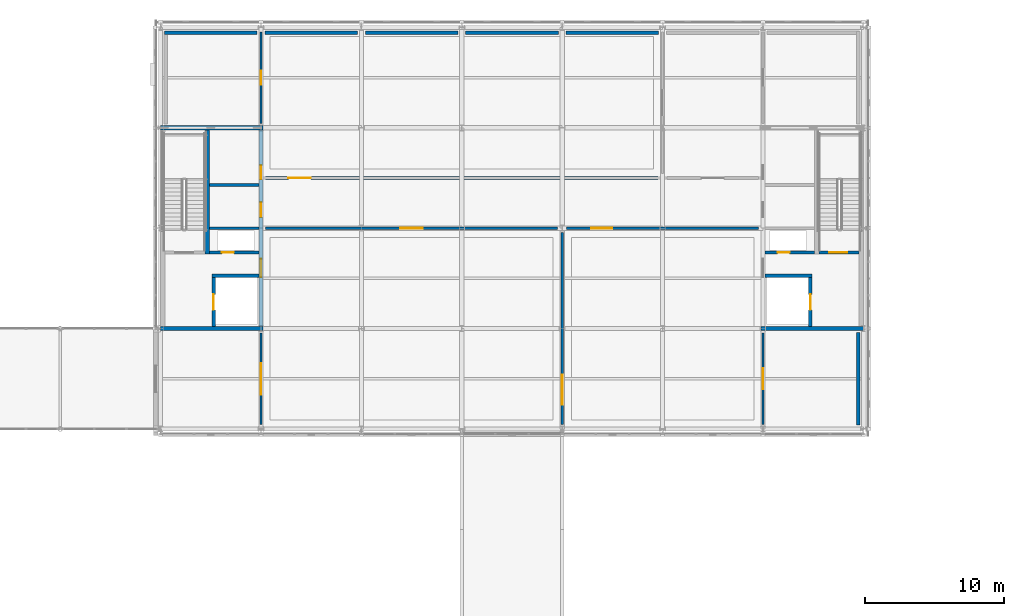
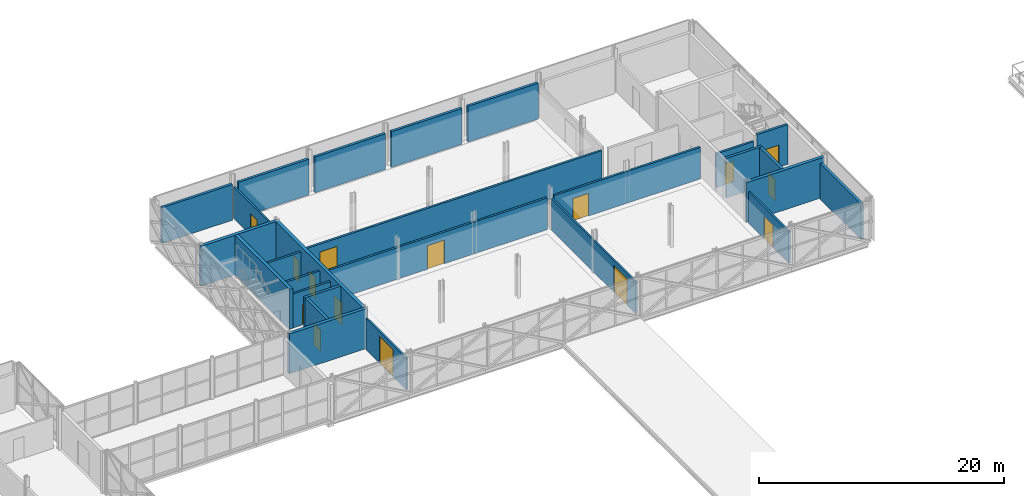
# One storey, part 106 of 126: 27 walls, 15 doors, 15 openings.
"""IFC4 building model written with IfcOpenShell, lengths in metres."""

from ifc_helpers import new_model, si_unit, direction, frame, frame_2d, origin, place, context, subcontext, project, spatial, rectangle, extrude, material, layer, layer_set, type_object, element, fill, save


model = new_model("IFC4")

# Units and contexts
model_context = context("Model", 3, precision=1e-05, world=origin(), true_north=direction((0.0, 1.0)))
body_context = subcontext(model_context, "Body", "Model", "MODEL_VIEW")
ifc_project = project(units=[si_unit("LENGTHUNIT", "METRE"), si_unit("AREAUNIT", "SQUARE_METRE"), si_unit("VOLUMEUNIT", "CUBIC_METRE"), si_unit("PLANEANGLEUNIT", "RADIAN"), si_unit("MASSUNIT", "GRAM", prefix="KILO")], contexts=[model_context])

# Site, building, storey
site_placement = place(None, origin())
site = spatial("IfcSite", under=ifc_project, at=site_placement, CompositionType="ELEMENT")
building_placement = place(site_placement, origin())
building = spatial("IfcBuilding", under=site, at=building_placement, Name="Zlatovets Crest Museum", CompositionType="ELEMENT")
storey_placement = place(building_placement, frame((0.0, 0.0, 8.699951171875)))
storey = spatial("IfcBuildingStorey", under=building, at=storey_placement, Name="L02", CompositionType="ELEMENT", Elevation=8.699951171875)

# Walls
ifc_material_1 = material(Name="Concrete C35/45", Category="concrete")
ifc_layer_1 = layer(ifc_material_1, 0.300048828125)
ifc_layer_set_1 = layer_set([ifc_layer_1], Name="Concrete C35/45")
wall_type_1 = type_object("IfcWallType", Name="CoreWall_SW01", PredefinedType="SHEAR", material=ifc_layer_set_1)
for number, where, z_axis, x_axis, name in (
    (1, (57.60009765625, 93.60009765625, 0.0), (0.0, 0.0, 1.0), (1.0, 0.0, 0.0), "Core C1 L02 South Shear Wall"),
    (2, (57.60009765625, 108.0, 0.0), (0.0, 0.0, 1.0), (1.0, 0.0, 0.0), "Core C1 L02 North Shear Wall"),
):
    element("IfcWall", number, at=place(storey_placement, frame(where, z_axis=z_axis, x_axis=x_axis)), inside=storey, type_object=wall_type_1, Name=name, PredefinedType="SHEAR", context=body_context, shape_type="SweptSolid", body=[
        extrude(rectangle(XDim=7.349853515625, YDim=0.300048828125, at=frame_2d((3.6748046875, 0.0))), origin(), (0.0, 0.0, 1.0), 3.9599609375),
    ])

# Wall, openings, doors
wall_1_placement = place(storey_placement, frame((64.800048828125, 93.75, 0.0), z_axis=(0.0, 0.0, 1.0), x_axis=(0.0, 1.0, 0.0)))
wall_1 = element("IfcWall", 3, at=wall_1_placement, inside=storey, type_object=wall_type_1, Name="Core C1 L02 Spine Shear Wall", PredefinedType="SHEAR", context=body_context, shape_type="SweptSolid", body=[
    extrude(rectangle(XDim=14.10009765625, YDim=0.300048828125, at=frame_2d((7.050048828125, 0.0))), origin(), (0.0, 0.0, 1.0), 3.9599609375),
])
opening_1_placement = place(wall_1_placement, frame((3.550048828125, 0.0, 0.0)))
opening_1 = element("IfcOpeningElement", 4, at=opening_1_placement, cuts=wall_1, Name="Opening FD-01", PredefinedType="OPENING", context=body_context, shape_type="SweptSolid", body=[
    extrude(rectangle(XDim=1.300048828125, YDim=2.199951171875, at=frame_2d((0.64990234375, 1.10009765625))), frame((0.0, 0.16015625, 0.0), z_axis=(0.0, -1.0, 0.0), x_axis=(1.0, 0.0, 0.0)), (0.0, 0.0, 1.0), 0.320068359375),
])
opening_2_placement = place(wall_1_placement, frame((7.85009765625, 0.0, 0.0)))
opening_2 = element("IfcOpeningElement", 5, at=opening_2_placement, cuts=wall_1, Name="Opening ID-02", PredefinedType="OPENING", context=body_context, shape_type="SweptSolid", body=[
    extrude(rectangle(XDim=1.050048828125, YDim=2.14990234375, at=frame_2d((0.52490234375, 1.074951171875))), frame((0.0, 0.16015625, 0.0), z_axis=(0.0, -1.0, 0.0), x_axis=(1.0, 0.0, 0.0)), (0.0, 0.0, 1.0), 0.320068359375),
])
opening_3_placement = place(wall_1_placement, frame((10.550048828125, 0.0, 0.0)))
opening_3 = element("IfcOpeningElement", 6, at=opening_3_placement, cuts=wall_1, Name="Opening ID-01", PredefinedType="OPENING", context=body_context, shape_type="SweptSolid", body=[
    extrude(rectangle(XDim=1.0, YDim=2.14990234375, at=frame_2d((0.5, 1.074951171875))), frame((0.0, 0.16015625, 0.0), z_axis=(0.0, -1.0, 0.0), x_axis=(1.0, 0.0, 0.0)), (0.0, 0.0, 1.0), 0.320068359375),
])
ifc_material_2 = material(Name="Smoke-sealed steel fire door", Category="steel")
door_type_1 = type_object("IfcDoorType", Name="IntDoor_FD-01", OperationType="NOTDEFINED", PredefinedType="DOOR", material=ifc_material_2)
door_1_placement = place(opening_1_placement, origin())
door_1 = element("IfcDoor", 7, at=door_1_placement, inside=storey, type_object=door_type_1, Name="CDOOR-C1-L02-LOB Core C1 L02 Lobby Fire Door", OperationType="SINGLE_SWING_RIGHT", OverallHeight=2.199951171875, OverallWidth=1.300048828125, PredefinedType="DOOR", context=body_context, shape_type="SweptSolid", body=[
    extrude(rectangle(XDim=1.300048828125, YDim=2.199951171875, at=frame_2d((0.64990234375, 1.10009765625))), frame((0.0, 0.02490234375, 0.0), z_axis=(0.0, -1.0, 0.0), x_axis=(1.0, 0.0, 0.0)), (0.0, 0.0, 1.0), 0.050048828125),
])
fill(opening_1, door_1)
ifc_material_3 = material(Name="Solid oak museum room door")
door_type_2 = type_object("IfcDoorType", Name="IntDoor_ID-01", OperationType="NOTDEFINED", PredefinedType="DOOR", material=ifc_material_3)
door_2_placement = place(opening_3_placement, origin())
door_2 = element("IfcDoor", 8, at=door_2_placement, inside=storey, type_object=door_type_2, Name="CDOOR-C1-L02-WC Core C1 L02 Public Restroom Door", OperationType="SINGLE_SWING_RIGHT", OverallHeight=2.14990234375, OverallWidth=1.0, PredefinedType="DOOR", context=body_context, shape_type="SweptSolid", body=[
    extrude(rectangle(XDim=1.0, YDim=2.14990234375, at=frame_2d((0.5, 1.074951171875))), frame((0.0, 0.02490234375, 0.0), z_axis=(0.0, -1.0, 0.0), x_axis=(1.0, 0.0, 0.0)), (0.0, 0.0, 1.0), 0.050048828125),
])
fill(opening_3, door_2)
ifc_material_4 = material(Name="Accessible sanitary room door")
door_type_3 = type_object("IfcDoorType", Name="IntDoor_ID-02", OperationType="NOTDEFINED", PredefinedType="DOOR", material=ifc_material_4)
door_3_placement = place(opening_2_placement, origin())
door_3 = element("IfcDoor", 9, at=door_3_placement, inside=storey, type_object=door_type_3, Name="CDOOR-C1-L02-AWC Core C1 L02 Accessible WC Door", OperationType="SINGLE_SWING_LEFT", OverallHeight=2.14990234375, OverallWidth=1.050048828125, PredefinedType="DOOR", context=body_context, shape_type="SweptSolid", body=[
    extrude(rectangle(XDim=1.050048828125, YDim=2.14990234375, at=frame_2d((0.52490234375, 1.074951171875))), frame((0.0, 0.02490234375, 0.0), z_axis=(0.0, -1.0, 0.0), x_axis=(1.0, 0.0, 0.0)), (0.0, 0.0, 1.0), 0.050048828125),
])
fill(opening_2, door_3)

# Walls
wall_2_placement = place(storey_placement, frame((60.949951171875, 98.93994140625, 0.0), z_axis=(0.0, 0.0, 1.0), x_axis=(0.0, 1.0, 0.0)))
element("IfcWall", 10, at=wall_2_placement, inside=storey, type_object=wall_type_1, Name="Core C1 L02 Stair Divider Wall", PredefinedType="SHEAR", context=body_context, shape_type="SweptSolid", body=[
    extrude(rectangle(XDim=8.91015625, YDim=0.300048828125, at=frame_2d((4.455078125, 0.0))), origin(), (0.0, 0.0, 1.0), 3.9599609375),
])
wall_3_placement = place(storey_placement, frame((100.64990234375, 93.60009765625, 0.0), z_axis=(0.0, 0.0, 1.0), x_axis=(1.0, 0.0, 0.0)))
element("IfcWall", 11, at=wall_3_placement, inside=storey, type_object=wall_type_1, Name="Core C6 L02 South Shear Wall", PredefinedType="SHEAR", context=body_context, shape_type="SweptSolid", body=[
    extrude(rectangle(XDim=7.35009765625, YDim=0.300048828125, at=frame_2d((3.675048828125, 0.0))), origin(), (0.0, 0.0, 1.0), 3.9599609375),
])

# Wall, opening, door
ifc_layer_2 = layer(ifc_material_1, 0.25)
ifc_layer_set_2 = layer_set([ifc_layer_2], Name="Concrete C35/45")
wall_type_2 = type_object("IfcWallType", Name="CoreWall_SW02", PredefinedType="SHEAR", material=ifc_layer_set_2)
wall_4_placement = place(storey_placement, frame((61.39990234375, 93.75, 0.0), z_axis=(0.0, 0.0, 1.0), x_axis=(0.0, 1.0, 0.0)))
wall_4 = element("IfcWall", 12, at=wall_4_placement, inside=storey, type_object=wall_type_2, Name="Core C1 L02 Lift Shaft Wall", PredefinedType="SHEAR", context=body_context, shape_type="SweptSolid", body=[
    extrude(rectangle(XDim=3.52490234375, YDim=0.25, at=frame_2d((1.762451171875, 0.0))), origin(), (0.0, 0.0, 1.0), 3.9599609375),
])
opening_4_placement = place(wall_4_placement, frame((1.199951171875, 0.0, 0.0)))
opening_4 = element("IfcOpeningElement", 13, at=opening_4_placement, cuts=wall_4, Name="Opening LD-01", PredefinedType="OPENING", context=body_context, shape_type="SweptSolid", body=[
    extrude(rectangle(XDim=1.10009765625, YDim=2.14990234375, at=frame_2d((0.550048828125, 1.074951171875))), frame((0.0, 0.135009765625, 0.0), z_axis=(0.0, -1.0, 0.0), x_axis=(1.0, 0.0, 0.0)), (0.0, 0.0, 1.0), 0.27001953125),
])
ifc_material_5 = material(Name="Stainless-bronze sliding lift landing door")
door_type_4 = type_object("IfcDoorType", Name="IntDoor_LD-01", OperationType="SLIDING_TO_LEFT", PredefinedType="DOOR", material=ifc_material_5)
door_4_placement = place(opening_4_placement, origin())
door_4 = element("IfcDoor", 14, at=door_4_placement, inside=storey, type_object=door_type_4, Name="LDOOR-FL1-L02 Lift FL1 L02 Sliding Landing Door", OperationType="SLIDING_TO_LEFT", OverallHeight=2.14990234375, OverallWidth=1.10009765625, PredefinedType="DOOR", context=body_context, shape_type="SweptSolid", body=[
    extrude(rectangle(XDim=1.10009765625, YDim=2.14990234375, at=frame_2d((0.550048828125, 1.074951171875))), frame((0.0, 0.02490234375, 0.0), z_axis=(0.0, -1.0, 0.0), x_axis=(1.0, 0.0, 0.0)), (0.0, 0.0, 1.0), 0.050048828125),
])
fill(opening_4, door_4)

# Wall
wall_5_placement = place(storey_placement, frame((61.27490234375, 97.39990234375, 0.0), z_axis=(0.0, 0.0, 1.0), x_axis=(1.0, 0.0, 0.0)))
element("IfcWall", 15, at=wall_5_placement, inside=storey, type_object=wall_type_2, Name="Core C1 L02 Lift Shaft North Shear Wall", PredefinedType="SHEAR", context=body_context, shape_type="SweptSolid", body=[
    extrude(rectangle(XDim=3.375, YDim=0.25, at=frame_2d((1.6875, 0.0))), origin(), (0.0, 0.0, 1.0), 3.9599609375),
])

# Wall, opening, door
wall_6_placement = place(storey_placement, frame((104.199951171875, 93.75, 0.0), z_axis=(0.0, 0.0, 1.0), x_axis=(0.0, 1.0, 0.0)))
wall_6 = element("IfcWall", 16, at=wall_6_placement, inside=storey, type_object=wall_type_2, Name="Core C6 L02 Lift Shaft Wall", PredefinedType="SHEAR", context=body_context, shape_type="SweptSolid", body=[
    extrude(rectangle(XDim=3.52490234375, YDim=0.25, at=frame_2d((1.762451171875, 0.0))), origin(), (0.0, 0.0, 1.0), 3.9599609375),
])
opening_5_placement = place(wall_6_placement, frame((1.199951171875, 0.0, 0.0)))
opening_5 = element("IfcOpeningElement", 17, at=opening_5_placement, cuts=wall_6, Name="Opening LD-01", PredefinedType="OPENING", context=body_context, shape_type="SweptSolid", body=[
    extrude(rectangle(XDim=1.10009765625, YDim=2.14990234375, at=frame_2d((0.550048828125, 1.074951171875))), frame((0.0, 0.135009765625, 0.0), z_axis=(0.0, -1.0, 0.0), x_axis=(1.0, 0.0, 0.0)), (0.0, 0.0, 1.0), 0.27001953125),
])
door_5_placement = place(opening_5_placement, origin())
door_5 = element("IfcDoor", 18, at=door_5_placement, inside=storey, type_object=door_type_4, Name="LDOOR-FL2-L02 Lift FL2 L02 Sliding Landing Door", OperationType="SLIDING_TO_LEFT", OverallHeight=2.14990234375, OverallWidth=1.10009765625, PredefinedType="DOOR", context=body_context, shape_type="SweptSolid", body=[
    extrude(rectangle(XDim=1.10009765625, YDim=2.14990234375, at=frame_2d((0.550048828125, 1.074951171875))), frame((0.0, 0.02490234375, 0.0), z_axis=(0.0, -1.0, 0.0), x_axis=(1.0, 0.0, 0.0)), (0.0, 0.0, 1.0), 0.050048828125),
])
fill(opening_5, door_5)

wall_7_placement = place(storey_placement, frame((104.800048828125, 99.050048828125, 0.0), z_axis=(0.0, 0.0, 1.0), x_axis=(1.0, 0.0, 0.0)))
wall_7 = element("IfcWall", 19, at=wall_7_placement, inside=storey, type_object=wall_type_2, Name="Core C6 L02 Stairwell Fire Wall", PredefinedType="SHEAR", context=body_context, shape_type="SweptSolid", body=[
    extrude(rectangle(XDim=2.89990234375, YDim=0.219970703125, at=frame_2d((1.449951171875, 0.0))), origin(), (0.0, 0.0, 1.0), 3.9599609375),
])
opening_6_placement = place(wall_7_placement, frame((0.75, 0.0, 0.0)))
opening_6 = element("IfcOpeningElement", 20, at=opening_6_placement, cuts=wall_7, Name="Opening FD-01", PredefinedType="OPENING", context=body_context, shape_type="SweptSolid", body=[
    extrude(rectangle(XDim=1.300048828125, YDim=2.199951171875, at=frame_2d((0.64990234375, 1.10009765625))), frame((0.0, 0.1201171875, 0.0), z_axis=(0.0, -1.0, 0.0), x_axis=(1.0, 0.0, 0.0)), (0.0, 0.0, 1.0), 0.239990234375),
])
door_6_placement = place(opening_6_placement, origin())
door_6 = element("IfcDoor", 21, at=door_6_placement, inside=storey, type_object=door_type_1, Name="SDOOR-ST7-L02 Stair ST7 L02 Fire Door", OperationType="SINGLE_SWING_LEFT", OverallHeight=2.199951171875, OverallWidth=1.300048828125, PredefinedType="DOOR", context=body_context, shape_type="SweptSolid", body=[
    extrude(rectangle(XDim=1.300048828125, YDim=2.199951171875, at=frame_2d((0.64990234375, 1.10009765625))), frame((0.0, 0.02490234375, 0.0), z_axis=(0.0, -1.0, 0.0), x_axis=(1.0, 0.0, 0.0)), (0.0, 0.0, 1.0), 0.050048828125),
])
fill(opening_6, door_6)

# Walls
wall_8_placement = place(storey_placement, frame((100.949951171875, 97.39990234375, 0.0), z_axis=(0.0, 0.0, 1.0), x_axis=(1.0, 0.0, 0.0)))
element("IfcWall", 22, at=wall_8_placement, inside=storey, type_object=wall_type_2, Name="Core C6 L02 Lift Shaft North Shear Wall", PredefinedType="SHEAR", context=body_context, shape_type="SweptSolid", body=[
    extrude(rectangle(XDim=3.375, YDim=0.25, at=frame_2d((1.6875, 0.0))), origin(), (0.0, 0.0, 1.0), 3.9599609375),
])
ifc_material_6 = material(Name="Insulated gallery conservation liner wall", Category="concrete")
ifc_layer_3 = layer(ifc_material_6, 0.300048828125)
ifc_layer_set_3 = layer_set([ifc_layer_3], Name="Insulated gallery conservation liner wall")
wall_type_3 = type_object("IfcWallType", Name="ExtWall_EW-02", PredefinedType="STANDARD", material=ifc_layer_set_3)
for number, where, z_axis, x_axis, name in (
    (23, (107.6201171875, 86.679931640625, 0.0), (0.0, 0.0, 1.0), (0.0, 1.0, 0.0), "V1 L02 Interior Conservation Gallery Liner Wall"),
    (24, (93.320068359375, 114.820068359375, 0.0), (0.0, 0.0, 1.0), (-1.0, 0.0, 0.0), "V1 L02 Interior Conservation Gallery Liner Wall"),
    (25, (86.1201171875, 114.820068359375, 0.0), (0.0, 0.0, 1.0), (-1.0, 0.0, 0.0), "V1 L02 Interior Conservation Gallery Liner Wall"),
):
    element("IfcWall", number, at=place(storey_placement, frame(where, z_axis=z_axis, x_axis=x_axis)), inside=storey, type_object=wall_type_3, Name=name, PredefinedType="STANDARD", context=body_context, shape_type="SweptSolid", body=[
        extrude(rectangle(XDim=6.64013671875, YDim=0.239990234375, at=frame_2d((3.320068359375, 0.0))), origin(), (0.0, 0.0, 1.0), 3.56005859375),
    ])
for number, where, z_axis, x_axis, name in (
    (26, (78.919921875, 114.820068359375, 0.0), (0.0, 0.0, 1.0), (-1.0, 0.0, 0.0), "V1 L02 Interior Conservation Gallery Liner Wall"),
    (27, (71.719970703125, 114.820068359375, 0.0), (0.0, 0.0, 1.0), (-1.0, 0.0, 0.0), "V1 L02 Interior Conservation Gallery Liner Wall"),
):
    element("IfcWall", number, at=place(storey_placement, frame(where, z_axis=z_axis, x_axis=x_axis)), inside=storey, type_object=wall_type_3, Name=name, PredefinedType="STANDARD", context=body_context, shape_type="SweptSolid", body=[
        extrude(rectangle(XDim=6.639892578125, YDim=0.239990234375, at=frame_2d((3.31982421875, 0.0))), origin(), (0.0, 0.0, 1.0), 3.56005859375),
    ])
wall_9_placement = place(storey_placement, frame((64.52001953125, 114.820068359375, 0.0), z_axis=(0.0, 0.0, 1.0), x_axis=(-1.0, 0.0, 0.0)))
element("IfcWall", 28, at=wall_9_placement, inside=storey, type_object=wall_type_3, Name="V1 L02 Interior Conservation Gallery Liner Wall", PredefinedType="STANDARD", context=body_context, shape_type="SweptSolid", body=[
    extrude(rectangle(XDim=6.64013671875, YDim=0.239990234375, at=frame_2d((3.320068359375, 0.0))), origin(), (0.0, 0.0, 1.0), 3.56005859375),
])

# Wall, opening, door
ifc_material_7 = material(Name="Gypsum-encased fire compartment partition")
ifc_layer_4 = layer(ifc_material_7, 0.199951171875)
ifc_layer_set_4 = layer_set([ifc_layer_4], Name="Gypsum-encased fire compartment partition")
wall_type_4 = type_object("IfcWallType", Name="PartWall_PT-01", PredefinedType="PARTITIONING", material=ifc_layer_set_4)
wall_10_placement = place(storey_placement, frame((65.1201171875, 100.800048828125, 0.0), z_axis=(0.0, 0.0, 1.0), x_axis=(1.0, 0.0, 0.0)))
wall_10 = element("IfcWall", 29, at=wall_10_placement, inside=storey, type_object=wall_type_4, Name="V1 L02 Interior Partition PT-01", PredefinedType="PARTITIONING", context=body_context, shape_type="SweptSolid", body=[
    extrude(rectangle(XDim=20.9599609375, YDim=0.199951171875, at=frame_2d((10.47998046875, 0.0))), origin(), (0.0, 0.0, 1.0), 3.150146484375),
])
opening_7_placement = place(wall_10_placement, frame((9.679931640625, 0.0, 0.0)))
opening_7 = element("IfcOpeningElement", 30, at=opening_7_placement, cuts=wall_10, Name="Opening ID-04", PredefinedType="OPENING", context=body_context, shape_type="SweptSolid", body=[
    extrude(rectangle(XDim=1.60009765625, YDim=2.35009765625, at=frame_2d((0.800048828125, 1.175048828125))), frame((0.0, 0.10986328125, 0.0), z_axis=(0.0, -1.0, 0.0), x_axis=(1.0, 0.0, 0.0)), (0.0, 0.0, 1.0), 0.219970703125),
])
ifc_material_8 = material(Name="Gallery salon double portal door")
door_type_5 = type_object("IfcDoorType", Name="IntDoor_ID-04", OperationType="DOUBLE_DOOR_SINGLE_SWING", PredefinedType="DOOR", material=ifc_material_8)
door_7_placement = place(opening_7_placement, origin())
door_7 = element("IfcDoor", 31, at=door_7_placement, inside=storey, type_object=door_type_5, Name="IDOOR-V1-L02-0137 Second Floor Gallery Spine to Central European Secession Salon Door", OperationType="DOUBLE_DOOR_SINGLE_SWING", OverallHeight=2.35009765625, OverallWidth=1.60009765625, PredefinedType="DOOR", context=body_context, shape_type="SweptSolid", body=[
    extrude(rectangle(XDim=1.60009765625, YDim=2.35009765625, at=frame_2d((0.800048828125, 1.175048828125))), frame((0.0, 0.02490234375, 0.0), z_axis=(0.0, -1.0, 0.0), x_axis=(1.0, 0.0, 0.0)), (0.0, 0.0, 1.0), 0.050048828125),
])
fill(opening_7, door_7)

wall_11_placement = place(storey_placement, frame((86.719970703125, 100.800048828125, 0.0), z_axis=(0.0, 0.0, 1.0), x_axis=(1.0, 0.0, 0.0)))
wall_11 = element("IfcWall", 32, at=wall_11_placement, inside=storey, type_object=wall_type_4, Name="V1 L02 Interior Partition PT-01", PredefinedType="PARTITIONING", context=body_context, shape_type="SweptSolid", body=[
    extrude(rectangle(XDim=13.760009765625, YDim=0.199951171875, at=frame_2d((6.8798828125, 0.0))), origin(), (0.0, 0.0, 1.0), 3.150146484375),
])
opening_8_placement = place(wall_11_placement, frame((1.751708984375, 0.0, 0.0)))
opening_8 = element("IfcOpeningElement", 33, at=opening_8_placement, cuts=wall_11, Name="Opening FD-02", PredefinedType="OPENING", context=body_context, shape_type="SweptSolid", body=[
    extrude(rectangle(XDim=1.5, YDim=2.25, at=frame_2d((0.75, 1.125))), frame((0.0, 0.10986328125, 0.0), z_axis=(0.0, -1.0, 0.0), x_axis=(1.0, 0.0, 0.0)), (0.0, 0.0, 1.0), 0.219970703125),
])
ifc_material_9 = material(Name="Double corridor compartment fire door")
door_type_6 = type_object("IfcDoorType", Name="IntDoor_FD-02", OperationType="DOUBLE_DOOR_SINGLE_SWING", PredefinedType="DOOR", material=ifc_material_9)
door_8_placement = place(opening_8_placement, origin())
door_8 = element("IfcDoor", 34, at=door_8_placement, inside=storey, type_object=door_type_6, Name="IDOOR-V1-L02-0138 Second Floor Gallery Spine to Glazed Majolica and Glasswork Gallery Door", OperationType="DOUBLE_DOOR_SINGLE_SWING", OverallHeight=2.25, OverallWidth=1.5, PredefinedType="DOOR", context=body_context, shape_type="SweptSolid", body=[
    extrude(rectangle(XDim=1.5, YDim=2.25, at=frame_2d((0.75, 1.125))), frame((0.0, 0.02490234375, 0.0), z_axis=(0.0, -1.0, 0.0), x_axis=(1.0, 0.0, 0.0)), (0.0, 0.0, 1.0), 0.050048828125),
])
fill(opening_8, door_8)

wall_12_placement = place(storey_placement, frame((65.1201171875, 104.39990234375, 0.0), z_axis=(0.0, 0.0, 1.0), x_axis=(1.0, 0.0, 0.0)))
wall_12 = element("IfcWall", 35, at=wall_12_placement, inside=storey, type_object=wall_type_4, Name="V1 L02 Interior Partition PT-01", PredefinedType="PARTITIONING", context=body_context, shape_type="SweptSolid", body=[
    extrude(rectangle(XDim=28.159912109375, YDim=0.199951171875, at=frame_2d((14.080078125, 0.0))), origin(), (0.0, 0.0, 1.0), 3.150146484375),
])
opening_9_placement = place(wall_12_placement, frame((1.648681640625, 0.0, 0.0)))
opening_9 = element("IfcOpeningElement", 36, at=opening_9_placement, cuts=wall_12, Name="Opening ID-04", PredefinedType="OPENING", context=body_context, shape_type="SweptSolid", body=[
    extrude(rectangle(XDim=1.60009765625, YDim=2.35009765625, at=frame_2d((0.800048828125, 1.175048828125))), frame((0.0, 0.10986328125, 0.0), z_axis=(0.0, -1.0, 0.0), x_axis=(1.0, 0.0, 0.0)), (0.0, 0.0, 1.0), 0.219970703125),
])
door_9_placement = place(opening_9_placement, origin())
door_9 = element("IfcDoor", 37, at=door_9_placement, inside=storey, type_object=door_type_5, Name="IDOOR-V1-L02-0139 Second Floor Gallery Spine to Twentieth-Century Painting Gallery Door", OperationType="DOUBLE_DOOR_SINGLE_SWING", OverallHeight=2.35009765625, OverallWidth=1.60009765625, PredefinedType="DOOR", context=body_context, shape_type="SweptSolid", body=[
    extrude(rectangle(XDim=1.60009765625, YDim=2.35009765625, at=frame_2d((0.800048828125, 1.175048828125))), frame((0.0, 0.02490234375, 0.0), z_axis=(0.0, -1.0, 0.0), x_axis=(1.0, 0.0, 0.0)), (0.0, 0.0, 1.0), 0.050048828125),
])
fill(opening_9, door_9)

ifc_material_10 = material(Name="Acoustic museum gallery stud partition")
ifc_layer_5 = layer(ifc_material_10, 0.159912109375)
ifc_layer_set_5 = layer_set([ifc_layer_5], Name="Acoustic museum gallery stud partition")
wall_type_5 = type_object("IfcWallType", Name="PartWall_PT-02", PredefinedType="PARTITIONING", material=ifc_layer_set_5)
wall_13_placement = place(storey_placement, frame((86.39990234375, 86.719970703125, 0.0), z_axis=(0.0, 0.0, 1.0), x_axis=(0.0, 1.0, 0.0)))
wall_13 = element("IfcWall", 38, at=wall_13_placement, inside=storey, type_object=wall_type_5, Name="V1 L02 Interior Partition PT-02", PredefinedType="PARTITIONING", context=body_context, shape_type="SweptSolid", body=[
    extrude(rectangle(XDim=13.760009765625, YDim=0.159912109375, at=frame_2d((6.8798828125, 0.0))), origin(), (0.0, 0.0, 1.0), 3.150146484375),
])
opening_10_placement = place(wall_13_placement, frame((1.4267578125, 0.0, 0.0)))
opening_10 = element("IfcOpeningElement", 39, at=opening_10_placement, cuts=wall_13, Name="Opening ID-27", PredefinedType="OPENING", context=body_context, shape_type="SweptSolid", body=[
    extrude(rectangle(XDim=2.14990234375, YDim=2.64990234375, at=frame_2d((1.074951171875, 1.324951171875))), frame((0.0, 0.08984375, 0.0), z_axis=(0.0, -1.0, 0.0), x_axis=(1.0, 0.0, 0.0)), (0.0, 0.0, 1.0), 0.179931640625),
])
ifc_material_11 = material(Name="Monumental sculpture hall portal")
door_type_7 = type_object("IfcDoorType", Name="IntDoor_ID-27", OperationType="DOUBLE_DOOR_SINGLE_SWING", PredefinedType="DOOR", material=ifc_material_11)
door_10_placement = place(opening_10_placement, origin())
door_10 = element("IfcDoor", 40, at=door_10_placement, inside=storey, type_object=door_type_7, Name="IDOOR-V1-L02-0141 Central European Secession Salon to Glazed Majolica and Glasswork Gallery Door", OperationType="DOUBLE_DOOR_SINGLE_SWING", OverallHeight=2.64990234375, OverallWidth=2.14990234375, PredefinedType="DOOR", context=body_context, shape_type="SweptSolid", body=[
    extrude(rectangle(XDim=2.14990234375, YDim=2.64990234375, at=frame_2d((1.074951171875, 1.324951171875))), frame((0.0, 0.02490234375, 0.0), z_axis=(0.0, -1.0, 0.0), x_axis=(1.0, 0.0, 0.0)), (0.0, 0.0, 1.0), 0.050048828125),
])
fill(opening_10, door_10)

wall_14_placement = place(storey_placement, frame((64.800048828125, 86.719970703125, 0.0), z_axis=(0.0, 0.0, 1.0), x_axis=(0.0, 1.0, 0.0)))
wall_14 = element("IfcWall", 41, at=wall_14_placement, inside=storey, type_object=wall_type_5, Name="V1 L02 Interior Partition PT-02", PredefinedType="PARTITIONING", context=body_context, shape_type="SweptSolid", body=[
    extrude(rectangle(XDim=6.56005859375, YDim=0.159912109375, at=frame_2d((3.280029296875, 0.0))), origin(), (0.0, 0.0, 1.0), 3.150146484375),
])
opening_11_placement = place(wall_14_placement, frame((2.155029296875, 0.0, 0.0)))
opening_11 = element("IfcOpeningElement", 42, at=opening_11_placement, cuts=wall_14, Name="Opening ID-28", PredefinedType="OPENING", context=body_context, shape_type="SweptSolid", body=[
    extrude(rectangle(XDim=2.25, YDim=2.699951171875, at=frame_2d((1.125, 1.35009765625))), frame((0.0, 0.08984375, 0.0), z_axis=(0.0, -1.0, 0.0), x_axis=(1.0, 0.0, 0.0)), (0.0, 0.0, 1.0), 0.179931640625),
])
ifc_material_12 = material(Name="Ceremonial secession salon portal")
door_type_8 = type_object("IfcDoorType", Name="IntDoor_ID-28", OperationType="DOUBLE_DOOR_SINGLE_SWING", PredefinedType="DOOR", material=ifc_material_12)
door_11_placement = place(opening_11_placement, origin())
door_11 = element("IfcDoor", 43, at=door_11_placement, inside=storey, type_object=door_type_8, Name="IDOOR-V1-L02-0142 Central European Secession Salon to Second Floor Bridge Lounge Door", OperationType="DOUBLE_DOOR_SINGLE_SWING", OverallHeight=2.699951171875, OverallWidth=2.25, PredefinedType="DOOR", context=body_context, shape_type="SweptSolid", body=[
    extrude(rectangle(XDim=2.25, YDim=2.699951171875, at=frame_2d((1.125, 1.35009765625))), frame((0.0, 0.02490234375, 0.0), z_axis=(0.0, -1.0, 0.0), x_axis=(1.0, 0.0, 0.0)), (0.0, 0.0, 1.0), 0.050048828125),
])
fill(opening_11, door_11)

wall_15_placement = place(storey_placement, frame((100.800048828125, 86.719970703125, 0.0), z_axis=(0.0, 0.0, 1.0), x_axis=(0.0, 1.0, 0.0)))
wall_15 = element("IfcWall", 44, at=wall_15_placement, inside=storey, type_object=wall_type_5, Name="V1 L02 Interior Partition PT-02", PredefinedType="PARTITIONING", context=body_context, shape_type="SweptSolid", body=[
    extrude(rectangle(XDim=6.56005859375, YDim=0.159912109375, at=frame_2d((3.280029296875, 0.0))), origin(), (0.0, 0.0, 1.0), 3.150146484375),
])
opening_12_placement = place(wall_15_placement, frame((2.530029296875, 0.0, 0.0)))
opening_12 = element("IfcOpeningElement", 45, at=opening_12_placement, cuts=wall_15, Name="Opening FD-02", PredefinedType="OPENING", context=body_context, shape_type="SweptSolid", body=[
    extrude(rectangle(XDim=1.5, YDim=2.25, at=frame_2d((0.75, 1.125))), frame((0.0, 0.08984375, 0.0), z_axis=(0.0, -1.0, 0.0), x_axis=(1.0, 0.0, 0.0)), (0.0, 0.0, 1.0), 0.179931640625),
])
door_12_placement = place(opening_12_placement, origin())
door_12 = element("IfcDoor", 46, at=door_12_placement, inside=storey, type_object=door_type_6, Name="IDOOR-V1-L02-0143 Glazed Majolica and Glasswork Gallery to Art Glass Study Cabinet Door", OperationType="DOUBLE_DOOR_SINGLE_SWING", OverallHeight=2.25, OverallWidth=1.5, PredefinedType="DOOR", context=body_context, shape_type="SweptSolid", body=[
    extrude(rectangle(XDim=1.5, YDim=2.25, at=frame_2d((0.75, 1.125))), frame((0.0, 0.02490234375, 0.0), z_axis=(0.0, -1.0, 0.0), x_axis=(1.0, 0.0, 0.0)), (0.0, 0.0, 1.0), 0.050048828125),
])
fill(opening_12, door_12)

wall_16_placement = place(storey_placement, frame((64.800048828125, 108.320068359375, 0.0), z_axis=(0.0, 0.0, 1.0), x_axis=(0.0, 1.0, 0.0)))
wall_16 = element("IfcWall", 47, at=wall_16_placement, inside=storey, type_object=wall_type_5, Name="V1 L02 Interior Partition PT-02", PredefinedType="PARTITIONING", context=body_context, shape_type="SweptSolid", body=[
    extrude(rectangle(XDim=6.559814453125, YDim=0.159912109375, at=frame_2d((3.27978515625, 0.0))), origin(), (0.0, 0.0, 1.0), 3.150146484375),
])
opening_13_placement = place(wall_16_placement, frame((2.780029296875, 0.0, 0.0)))
opening_13 = element("IfcOpeningElement", 48, at=opening_13_placement, cuts=wall_16, Name="Opening ID-01", PredefinedType="OPENING", context=body_context, shape_type="SweptSolid", body=[
    extrude(rectangle(XDim=1.0, YDim=2.14990234375, at=frame_2d((0.5, 1.074951171875))), frame((0.0, 0.08984375, 0.0), z_axis=(0.0, -1.0, 0.0), x_axis=(1.0, 0.0, 0.0)), (0.0, 0.0, 1.0), 0.179931640625),
])
door_13_placement = place(opening_13_placement, origin())
door_13 = element("IfcDoor", 49, at=door_13_placement, inside=storey, type_object=door_type_2, Name="IDOOR-V1-L02-0145 Twentieth-Century Painting Gallery to Frame and Canvas Inspection Room Door", OperationType="SINGLE_SWING_RIGHT", OverallHeight=2.14990234375, OverallWidth=1.0, PredefinedType="DOOR", context=body_context, shape_type="SweptSolid", body=[
    extrude(rectangle(XDim=1.0, YDim=2.14990234375, at=frame_2d((0.5, 1.074951171875))), frame((0.0, 0.02490234375, 0.0), z_axis=(0.0, -1.0, 0.0), x_axis=(1.0, 0.0, 0.0)), (0.0, 0.0, 1.0), 0.050048828125),
])
fill(opening_13, door_13)

ifc_material_13 = material(Name="Sanitary core acoustic service wall")
ifc_layer_6 = layer(ifc_material_13, 0.219970703125)
ifc_layer_set_6 = layer_set([ifc_layer_6], Name="Sanitary core acoustic service wall")
wall_type_6 = type_object("IfcWallType", Name="PartWall_PT-04", PredefinedType="PLUMBINGWALL", material=ifc_layer_set_6)
wall_17_placement = place(storey_placement, frame((61.10009765625, 99.050048828125, 0.0), z_axis=(0.0, 0.0, 1.0), x_axis=(1.0, 0.0, 0.0)))
wall_17 = element("IfcWall", 50, at=wall_17_placement, inside=storey, type_object=wall_type_6, Name="Core C1 L02 Riser Lobby Wall", PredefinedType="PLUMBINGWALL", context=body_context, shape_type="SweptSolid", body=[
    extrude(rectangle(XDim=3.5498046875, YDim=0.199951171875, at=frame_2d((1.77490234375, 0.0))), origin(), (0.0, 0.0, 1.0), 3.380126953125),
])
opening_14_placement = place(wall_17_placement, frame((0.89990234375, 0.0, 0.0)))
opening_14 = element("IfcOpeningElement", 51, at=opening_14_placement, cuts=wall_17, Name="Opening FD-03", PredefinedType="OPENING", context=body_context, shape_type="SweptSolid", body=[
    extrude(rectangle(XDim=0.85009765625, YDim=2.050048828125, at=frame_2d((0.425048828125, 1.02490234375))), frame((0.0, 0.10986328125, 0.0), z_axis=(0.0, -1.0, 0.0), x_axis=(1.0, 0.0, 0.0)), (0.0, 0.0, 1.0), 0.219970703125),
])
ifc_material_14 = material(Name="Steel riser shaft access fire door", Category="steel")
door_type_9 = type_object("IfcDoorType", Name="IntDoor_FD-03", OperationType="NOTDEFINED", PredefinedType="TRAPDOOR", material=ifc_material_14)
door_14_placement = place(opening_14_placement, origin())
door_14 = element("IfcDoor", 52, at=door_14_placement, inside=storey, type_object=door_type_9, Name="CDOOR-C1-L02-RIS Core C1 L02 Riser Access Door", OperationType="SINGLE_SWING_RIGHT", OverallHeight=2.050048828125, OverallWidth=0.85009765625, PredefinedType="TRAPDOOR", context=body_context, shape_type="SweptSolid", body=[
    extrude(rectangle(XDim=0.85009765625, YDim=2.050048828125, at=frame_2d((0.425048828125, 1.02490234375))), frame((0.0, 0.02490234375, 0.0), z_axis=(0.0, -1.0, 0.0), x_axis=(1.0, 0.0, 0.0)), (0.0, 0.0, 1.0), 0.050048828125),
])
fill(opening_14, door_14)

# Walls
for number, where, z_axis, x_axis, name in (
    (53, (61.10009765625, 100.800048828125, 0.0), (0.0, 0.0, 1.0), (1.0, 0.0, 0.0), "Core C1 L02 Sanitary Divider"),
    (54, (61.10009765625, 103.89990234375, 0.0), (0.0, 0.0, 1.0), (1.0, 0.0, 0.0), "Core C1 L02 Sanitary Divider"),
):
    element("IfcWall", number, at=place(storey_placement, frame(where, z_axis=z_axis, x_axis=x_axis)), inside=storey, type_object=wall_type_6, Name=name, PredefinedType="PLUMBINGWALL", context=body_context, shape_type="SweptSolid", body=[
        extrude(rectangle(XDim=3.5498046875, YDim=0.199951171875, at=frame_2d((1.77490234375, 0.0))), origin(), (0.0, 0.0, 1.0), 3.380126953125),
    ])

# Wall, opening, door
wall_18_placement = place(storey_placement, frame((100.949951171875, 99.050048828125, 0.0), z_axis=(0.0, 0.0, 1.0), x_axis=(1.0, 0.0, 0.0)))
wall_18 = element("IfcWall", 55, at=wall_18_placement, inside=storey, type_object=wall_type_6, Name="Core C6 L02 Riser Lobby Wall", PredefinedType="PLUMBINGWALL", context=body_context, shape_type="SweptSolid", body=[
    extrude(rectangle(XDim=3.550048828125, YDim=0.199951171875, at=frame_2d((1.77490234375, 0.0))), origin(), (0.0, 0.0, 1.0), 3.380126953125),
])
opening_15_placement = place(wall_18_placement, frame((0.89990234375, 0.0, 0.0)))
opening_15 = element("IfcOpeningElement", 56, at=opening_15_placement, cuts=wall_18, Name="Opening FD-03", PredefinedType="OPENING", context=body_context, shape_type="SweptSolid", body=[
    extrude(rectangle(XDim=0.85009765625, YDim=2.050048828125, at=frame_2d((0.425048828125, 1.02490234375))), frame((0.0, 0.10986328125, 0.0), z_axis=(0.0, -1.0, 0.0), x_axis=(1.0, 0.0, 0.0)), (0.0, 0.0, 1.0), 0.219970703125),
])
door_15_placement = place(opening_15_placement, origin())
door_15 = element("IfcDoor", 57, at=door_15_placement, inside=storey, type_object=door_type_9, Name="CDOOR-C6-L02-RIS Core C6 L02 Riser Access Door", OperationType="SINGLE_SWING_RIGHT", OverallHeight=2.050048828125, OverallWidth=0.85009765625, PredefinedType="TRAPDOOR", context=body_context, shape_type="SweptSolid", body=[
    extrude(rectangle(XDim=0.85009765625, YDim=2.050048828125, at=frame_2d((0.425048828125, 1.02490234375))), frame((0.0, 0.02490234375, 0.0), z_axis=(0.0, -1.0, 0.0), x_axis=(1.0, 0.0, 0.0)), (0.0, 0.0, 1.0), 0.050048828125),
])
fill(opening_15, door_15)

save(model, "model.ifc")
